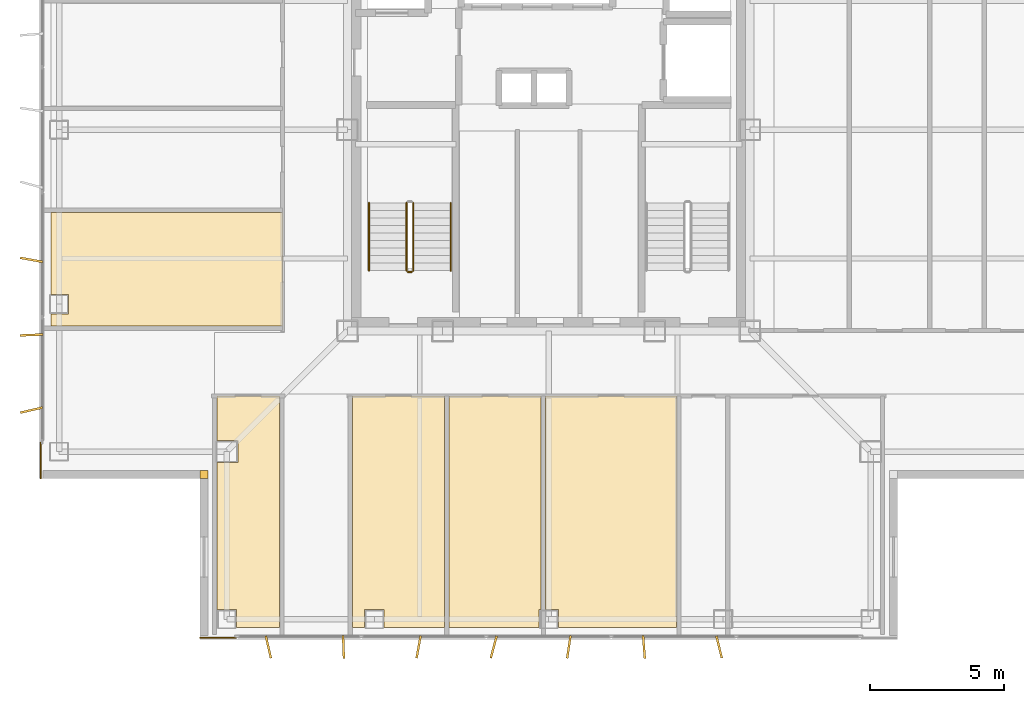
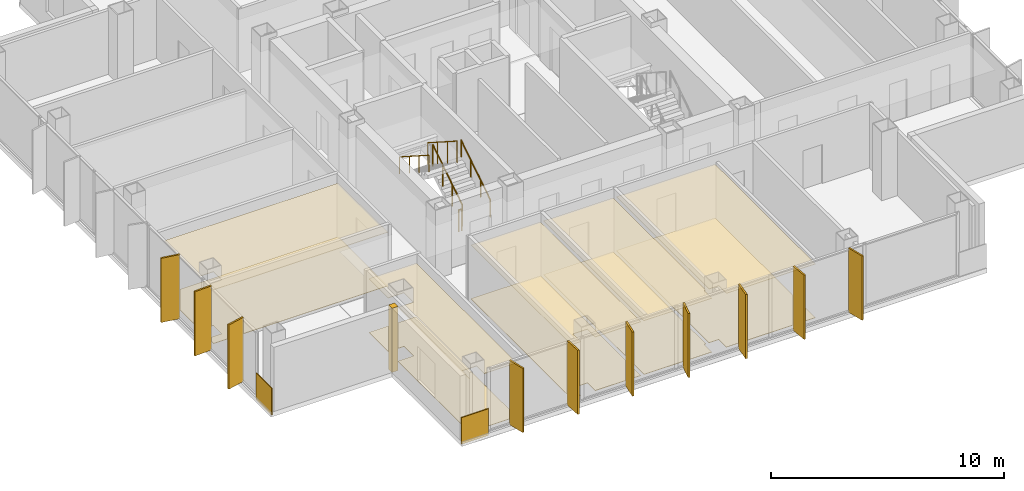
# One storey, part 10 of 15: 13 coverings, 10 shading devices, 5 railings.
"""IFC4 building model written with IfcOpenShell, lengths in metres."""

from ifc_helpers import new_model, si_unit, direction, frame, frame_2d, origin, origin_2d, place, context, subcontext, project, spatial, polyline, rectangle, circle, outline, extrude, material, layer, layer_set, type_object, element, save


model = new_model("IFC4")

# Units and contexts
model_context = context("Model", 3, precision=1e-05, world=origin(), true_north=direction((0.0, 1.0)))
body_context = subcontext(model_context, "Body", "Model", "MODEL_VIEW")
ifc_project = project(units=[si_unit("LENGTHUNIT", "METRE"), si_unit("AREAUNIT", "SQUARE_METRE"), si_unit("VOLUMEUNIT", "CUBIC_METRE"), si_unit("PLANEANGLEUNIT", "RADIAN"), si_unit("MASSUNIT", "GRAM", prefix="KILO")], contexts=[model_context])

# Site, building, storey
site_placement = place(None, origin())
site = spatial("IfcSite", under=ifc_project, at=site_placement, CompositionType="ELEMENT")
building_placement = place(site_placement, origin())
building = spatial("IfcBuilding", under=site, at=building_placement, Name="Trevonay Congress Spire", CompositionType="ELEMENT")
storey_placement = place(building_placement, frame((0.0, 0.0, 293.60009765625)))
storey = spatial("IfcBuildingStorey", under=building, at=storey_placement, Name="L77", CompositionType="ELEMENT", Elevation=293.60009765625)

# Coverings
ifc_material_1 = material(Name="Acoustic Mineral Fibre Board", Category="gypsum")
ifc_layer_1 = layer(ifc_material_1, 0.02490234375, Name="Acoustic Mineral Fibre Board")
ifc_layer_set_1 = layer_set([ifc_layer_1], Name="Acoustic Mineral Fibre Board")
covering_type_1 = type_object("IfcCoveringType", Name="COV-CEIL-ACOUSTIC", PredefinedType="CEILING", material=ifc_layer_set_1)
covering_1_placement = place(storey_placement, frame((0.0, 0.0, 2.809814453125)))
element("IfcCovering", 1, at=covering_1_placement, inside=storey, type_object=covering_type_1, Name="L77 Sommelier Reserve Tasting Kitchen acoustic suspended ceiling", PredefinedType="CEILING", context=body_context, shape_type="SweptSolid", body=[
    extrude(outline(polyline([(-12.3701171875, -18.550048828125), (-12.3701171875, -12.409912109375), (-11.590087890625, -12.409912109375), (-11.590087890625, -11.590087890625), (-12.3701171875, -11.590087890625), (-12.3701171875, -9.929931640625), (-10.030029296875, -9.929931640625), (-10.030029296875, -18.550048828125), (-11.639892578125, -18.550048828125), (-11.639892578125, -17.889892578125), (-12.360107421875, -17.889892578125), (-12.360107421875, -18.550048828125), (-12.3701171875, -18.550048828125)])), origin(), (0.0, 0.0, 1.0), 0.025146484375),
])
covering_2_placement = place(storey_placement, frame((0.0, 0.0, 2.809814453125)))
element("IfcCovering", 2, at=covering_2_placement, inside=storey, type_object=covering_type_1, Name="L77 Sky Brasserie Show Kitchen acoustic suspended ceiling", PredefinedType="CEILING", context=body_context, shape_type="SweptSolid", body=[
    extrude(outline(polyline([(-7.320068359375, -18.550048828125), (-7.320068359375, -9.929931640625), (-3.8798828125, -9.929931640625), (-3.8798828125, -18.550048828125), (-6.139892578125, -18.550048828125), (-6.139892578125, -17.889892578125), (-6.860107421875, -17.889892578125), (-6.860107421875, -18.550048828125), (-7.320068359375, -18.550048828125)])), origin(), (0.0, 0.0, 1.0), 0.025146484375),
])
covering_3_placement = place(storey_placement, frame((0.0, 0.0, 2.809814453125)))
element("IfcCovering", 3, at=covering_3_placement, inside=storey, type_object=covering_type_1, Name="L77 Pastry Studio Kitchen acoustic suspended ceiling", PredefinedType="CEILING", context=body_context, shape_type="SweptSolid", body=[
    extrude(outline(polyline([(-3.719970703125, -18.550048828125), (-3.719970703125, -9.929931640625), (-0.280029296875, -9.929931640625), (-0.280029296875, -17.889892578125), (-0.360107421875, -17.889892578125), (-0.360107421875, -18.550048828125), (-3.719970703125, -18.550048828125)])), origin(), (0.0, 0.0, 1.0), 0.025146484375),
])
covering_4_placement = place(storey_placement, frame((0.0, 0.0, 2.809814453125)))
element("IfcCovering", 4, at=covering_4_placement, inside=storey, type_object=covering_type_1, Name="L77 Espresso Roastery Bar acoustic suspended ceiling", PredefinedType="CEILING", context=body_context, shape_type="SweptSolid", body=[
    extrude(outline(polyline([(-0.1201171875, -9.929931640625), (4.77001953125, -9.929931640625), (4.77001953125, -18.550048828125), (0.360107421875, -18.550048828125), (0.360107421875, -17.889892578125), (-0.1201171875, -17.889892578125), (-0.1201171875, -9.929931640625)])), origin(), (0.0, 0.0, 1.0), 0.025146484375),
])
covering_5_placement = place(storey_placement, frame((0.0, 0.0, 2.809814453125)))
element("IfcCovering", 5, at=covering_5_placement, inside=storey, type_object=covering_type_1, Name="L77 Private Chef Table Dining acoustic suspended ceiling", PredefinedType="CEILING", context=body_context, shape_type="SweptSolid", body=[
    extrude(outline(polyline([(-18.550048828125, -3.080078125), (-9.929931640625, -3.080078125), (-9.929931640625, -7.320068359375), (-18.550048828125, -7.320068359375), (-18.550048828125, -6.860107421875), (-17.889892578125, -6.860107421875), (-17.889892578125, -6.139892578125), (-18.550048828125, -6.139892578125), (-18.550048828125, -3.080078125)])), origin(), (0.0, 0.0, 1.0), 0.025146484375),
])
ifc_material_2 = material(Name="Polished Granite Floor Tile", Category="masonry")
ifc_layer_2 = layer(ifc_material_2, 0.02001953125, Name="Polished Granite Floor Tile")
ifc_layer_set_2 = layer_set([ifc_layer_2], Name="Polished Granite Floor Tile")
covering_type_2 = type_object("IfcCoveringType", Name="COV-FLOOR-STONE", PredefinedType="FLOORING", material=ifc_layer_set_2)
covering_6_placement = place(storey_placement, origin())
element("IfcCovering", 6, at=covering_6_placement, inside=storey, type_object=covering_type_2, Name="L77 Sommelier Reserve Tasting Kitchen floor finish", PredefinedType="FLOORING", context=body_context, shape_type="SweptSolid", body=[
    extrude(outline(polyline([(-12.3701171875, -18.550048828125), (-12.3701171875, -12.409912109375), (-11.590087890625, -12.409912109375), (-11.590087890625, -11.590087890625), (-12.3701171875, -11.590087890625), (-12.3701171875, -9.929931640625), (-10.030029296875, -9.929931640625), (-10.030029296875, -18.550048828125), (-11.639892578125, -18.550048828125), (-11.639892578125, -17.889892578125), (-12.360107421875, -17.889892578125), (-12.360107421875, -18.550048828125), (-12.3701171875, -18.550048828125)])), origin(), (0.0, 0.0, 1.0), 0.02001953125),
])
covering_7_placement = place(storey_placement, origin())
element("IfcCovering", 7, at=covering_7_placement, inside=storey, type_object=covering_type_2, Name="L77 Sky Brasserie Show Kitchen floor finish", PredefinedType="FLOORING", context=body_context, shape_type="SweptSolid", body=[
    extrude(outline(polyline([(-7.320068359375, -18.550048828125), (-7.320068359375, -9.929931640625), (-3.8798828125, -9.929931640625), (-3.8798828125, -18.550048828125), (-6.139892578125, -18.550048828125), (-6.139892578125, -17.889892578125), (-6.860107421875, -17.889892578125), (-6.860107421875, -18.550048828125), (-7.320068359375, -18.550048828125)])), origin(), (0.0, 0.0, 1.0), 0.02001953125),
])
covering_8_placement = place(storey_placement, origin())
element("IfcCovering", 8, at=covering_8_placement, inside=storey, type_object=covering_type_2, Name="L77 Pastry Studio Kitchen floor finish", PredefinedType="FLOORING", context=body_context, shape_type="SweptSolid", body=[
    extrude(outline(polyline([(-3.719970703125, -18.550048828125), (-3.719970703125, -9.929931640625), (-0.280029296875, -9.929931640625), (-0.280029296875, -17.889892578125), (-0.360107421875, -17.889892578125), (-0.360107421875, -18.550048828125), (-3.719970703125, -18.550048828125)])), origin(), (0.0, 0.0, 1.0), 0.02001953125),
])
covering_9_placement = place(storey_placement, origin())
element("IfcCovering", 9, at=covering_9_placement, inside=storey, type_object=covering_type_2, Name="L77 Espresso Roastery Bar floor finish", PredefinedType="FLOORING", context=body_context, shape_type="SweptSolid", body=[
    extrude(outline(polyline([(-0.1201171875, -9.929931640625), (4.77001953125, -9.929931640625), (4.77001953125, -18.550048828125), (0.360107421875, -18.550048828125), (0.360107421875, -17.889892578125), (-0.1201171875, -17.889892578125), (-0.1201171875, -9.929931640625)])), origin(), (0.0, 0.0, 1.0), 0.02001953125),
])
covering_10_placement = place(storey_placement, origin())
element("IfcCovering", 10, at=covering_10_placement, inside=storey, type_object=covering_type_2, Name="L77 Private Chef Table Dining floor finish", PredefinedType="FLOORING", context=body_context, shape_type="SweptSolid", body=[
    extrude(outline(polyline([(-18.550048828125, -3.080078125), (-9.929931640625, -3.080078125), (-9.929931640625, -7.320068359375), (-18.550048828125, -7.320068359375), (-18.550048828125, -6.860107421875), (-17.889892578125, -6.860107421875), (-17.889892578125, -6.139892578125), (-18.550048828125, -6.139892578125), (-18.550048828125, -3.080078125)])), origin(), (0.0, 0.0, 1.0), 0.02001953125),
])
ifc_material_3 = material(Name="Pale Anodised Aluminium EN AW-6063-T6", Category="aluminium")
ifc_layer_3 = layer(ifc_material_3, 0.0400390625, Name="Pale Anodised Aluminium EN AW-6063-T6")
ifc_layer_set_3 = layer_set([ifc_layer_3], Name="Pale Anodised Aluminium EN AW-6063-T6")
covering_type_3 = type_object("IfcCoveringType", Name="COV-SPANDREL-PALE-METAL", PredefinedType="CLADDING", material=ifc_layer_set_3)
covering_11_placement = place(storey_placement, origin())
element("IfcCovering", 11, at=covering_11_placement, inside=storey, type_object=covering_type_3, Name="L77 SW re-entrant notch corner closure trim", PredefinedType="CLADDING", context=body_context, shape_type="SweptSolid", body=[
    extrude(outline(polyline([(-13.0, -13.0), (-12.699951171875, -13.0), (-12.699951171875, -12.699951171875), (-13.0, -12.699951171875), (-13.0, -13.0)])), origin(), (0.0, 0.0, 1.0), 3.35986328125),
])
for number, where, z_axis, x_axis, name in (
    (12, (-18.93994140625, -11.64990234375, -0.150146484375), (0.0, 0.0, 1.0), (0.0, -1.0, 0.0), "L77 SW corner pier spandrel cladding 1"),
    (13, (-11.64990234375, -18.93994140625, -0.150146484375), (0.0, 0.0, 1.0), (-1.0, 0.0, 0.0), "L77 SW corner pier spandrel cladding 2"),
):
    element("IfcCovering", number, at=place(storey_placement, frame(where, z_axis=z_axis, x_axis=x_axis)), inside=storey, type_object=covering_type_3, Name=name, PredefinedType="CLADDING", context=body_context, shape_type="SweptSolid", body=[
        extrude(rectangle(XDim=1.35009765625, YDim=0.0400390625, at=frame_2d((0.675048828125, 0.0))), origin(), (0.0, 0.0, 1.0), 1.400146484375),
    ])

# Railings
railing_type_1 = type_object("IfcRailingType", Name="RAL-STAIR-GUARD-110", PredefinedType="GUARDRAIL", material=ifc_material_3)
railing_1_placement = place(storey_placement, frame((-5.050048828125, -5.25, 0.179931640625)))
element("IfcRailing", 14, at=railing_1_placement, inside=storey, type_object=railing_type_1, Name="L77 ST-1 stair guard 1", PredefinedType="GUARDRAIL", context=body_context, shape_type="SweptSolid", body=[
    extrude(circle(Radius=0.02392578125, at=origin_2d()), frame((0.0, 0.0, 1.1259765625), z_axis=(0.0, 0.841199657755, 0.540724639528), x_axis=(-1.0, 0.0, 0.0)), (0.0, 0.0, 1.0), 2.995849609375),
    extrude(circle(Radius=0.02099609375, at=origin_2d()), origin(), (0.0, 0.0, 1.0), 1.101806640625),
    extrude(circle(Radius=0.02099609375, at=origin_2d()), frame((0.0, 0.840087890625, 0.5400390625)), (0.0, 0.0, 1.0), 1.101806640625),
    extrude(circle(Radius=0.02099609375, at=origin_2d()), frame((0.0, 1.679931640625, 1.079833984375)), (0.0, 0.0, 1.0), 1.101806640625),
    extrude(circle(Radius=0.02099609375, at=origin_2d()), frame((0.0, 2.52001953125, 1.619873046875)), (0.0, 0.0, 1.0), 1.101806640625),
])
railing_2_placement = place(storey_placement, frame((-5.300048828125, -2.72998046875, 1.97998046875)))
element("IfcRailing", 15, at=railing_2_placement, inside=storey, type_object=railing_type_1, Name="L77 ST-1 stair guard 3", PredefinedType="GUARDRAIL", context=body_context, shape_type="SweptSolid", body=[
    extrude(circle(Radius=0.02392578125, at=origin_2d()), frame((0.0, 0.0, 1.1259765625), z_axis=(0.0, -0.841199657755, 0.540724639528), x_axis=(1.0, 0.0, 0.0)), (0.0, 0.0, 1.0), 2.995849609375),
    extrude(circle(Radius=0.02099609375, at=origin_2d()), origin(), (0.0, 0.0, 1.0), 1.101806640625),
    extrude(circle(Radius=0.02099609375, at=origin_2d()), frame((0.0, -0.840087890625, 0.5400390625)), (0.0, 0.0, 1.0), 1.101806640625),
    extrude(circle(Radius=0.02099609375, at=origin_2d()), frame((0.0, -1.679931640625, 1.079833984375)), (0.0, 0.0, 1.0), 1.101806640625),
    extrude(circle(Radius=0.02099609375, at=origin_2d()), frame((0.0, -2.52001953125, 1.619873046875)), (0.0, 0.0, 1.0), 1.101806640625),
])
railing_3_placement = place(storey_placement, frame((-5.10009765625, -5.300048828125, 0.0)))
element("IfcRailing", 16, at=railing_3_placement, inside=storey, type_object=railing_type_1, Name="L77 ST-1 stair guard 4", PredefinedType="GUARDRAIL", context=body_context, shape_type="SweptSolid", body=[
    extrude(circle(Radius=0.02392578125, at=origin_2d()), frame((0.0, 0.0, 1.1259765625), z_axis=(-1.0, 0.0, 0.0), x_axis=(0.0, -1.0, 0.0)), (0.0, 0.0, 1.0), 0.14990234375),
    extrude(circle(Radius=0.02099609375, at=origin_2d()), origin(), (0.0, 0.0, 1.0), 1.101806640625),
    extrude(circle(Radius=0.02099609375, at=origin_2d()), frame((-0.14990234375, 0.0, 0.0)), (0.0, 0.0, 1.0), 1.101806640625),
])
railing_type_2 = type_object("IfcRailingType", Name="RAL-STAIR-HANDRAIL", PredefinedType="HANDRAIL", material=ifc_material_3)
railing_4_placement = place(storey_placement, frame((-3.64990234375, -5.25, 0.179931640625)))
element("IfcRailing", 17, at=railing_4_placement, inside=storey, type_object=railing_type_2, Name="L77 ST-1 stair handrail 1", PredefinedType="HANDRAIL", context=body_context, shape_type="SweptSolid", body=[
    extrude(circle(Radius=0.02392578125, at=origin_2d()), frame((0.0, 0.0, 0.8759765625), z_axis=(0.0, 0.841199657755, 0.540724639528), x_axis=(-1.0, 0.0, 0.0)), (0.0, 0.0, 1.0), 2.995849609375),
    extrude(circle(Radius=0.02099609375, at=origin_2d()), origin(), (0.0, 0.0, 1.0), 0.851806640625),
    extrude(circle(Radius=0.02099609375, at=origin_2d()), frame((0.0, 0.840087890625, 0.5400390625)), (0.0, 0.0, 1.0), 0.851806640625),
    extrude(circle(Radius=0.02099609375, at=origin_2d()), frame((0.0, 1.679931640625, 1.079833984375)), (0.0, 0.0, 1.0), 0.851806640625),
    extrude(circle(Radius=0.02099609375, at=origin_2d()), frame((0.0, 2.52001953125, 1.619873046875)), (0.0, 0.0, 1.0), 0.851806640625),
])
railing_5_placement = place(storey_placement, frame((-6.699951171875, -2.72998046875, 1.97998046875)))
element("IfcRailing", 18, at=railing_5_placement, inside=storey, type_object=railing_type_2, Name="L77 ST-1 stair handrail 2", PredefinedType="HANDRAIL", context=body_context, shape_type="SweptSolid", body=[
    extrude(circle(Radius=0.02392578125, at=origin_2d()), frame((0.0, 0.0, 0.8759765625), z_axis=(0.0, -0.841199657755, 0.540724639528), x_axis=(1.0, 0.0, 0.0)), (0.0, 0.0, 1.0), 2.995849609375),
    extrude(circle(Radius=0.02099609375, at=origin_2d()), origin(), (0.0, 0.0, 1.0), 0.851806640625),
    extrude(circle(Radius=0.02099609375, at=origin_2d()), frame((0.0, -0.840087890625, 0.5400390625)), (0.0, 0.0, 1.0), 0.851806640625),
    extrude(circle(Radius=0.02099609375, at=origin_2d()), frame((0.0, -1.679931640625, 1.079833984375)), (0.0, 0.0, 1.0), 0.851806640625),
    extrude(circle(Radius=0.02099609375, at=origin_2d()), frame((0.0, -2.52001953125, 1.619873046875)), (0.0, 0.0, 1.0), 0.851806640625),
])

# Shading devices
shading_device_type = type_object("IfcShadingDeviceType", Name="SHD-FIN-Z4-PALE-METAL", PredefinedType="USERDEFINED", material=ifc_material_3)
for number, where, z_axis, x_axis, name in (
    (19, (-10.449951171875, -19.280029296875, 0.0), (0.0, 0.0, 1.0), (0.97440931131, 0.224780991261, 0.0), "L77 S vertical pale-metal solar fin 1"),
    (20, (-7.64990234375, -19.280029296875, 0.0), (0.0, 0.0, 1.0), (0.999235873152, 0.039085416795, 0.0), "L77 S vertical pale-metal solar fin 2"),
    (21, (-4.85009765625, -19.280029296875, 0.0), (0.0, 0.0, 1.0), (0.984195607969, -0.17708474032, 0.0), "L77 S vertical pale-metal solar fin 3"),
    (22, (-2.050048828125, -19.280029296875, 0.0), (0.0, 0.0, 1.0), (0.966106280664, -0.258144638645, 0.0), "L77 S vertical pale-metal solar fin 4"),
    (23, (0.75, -19.280029296875, 0.0), (0.0, 0.0, 1.0), (0.989144474801, -0.146946275799, 0.0), "L77 S vertical pale-metal solar fin 5"),
    (24, (3.550048828125, -19.280029296875, 0.0), (0.0, 0.0, 1.0), (0.997025911491, 0.077067060513, 0.0), "L77 S vertical pale-metal solar fin 6"),
    (25, (6.35009765625, -19.280029296875, 0.0), (0.0, 0.0, 1.0), (0.970464383152, 0.241244442494, 0.0), "L77 S vertical pale-metal solar fin 7"),
    (26, (-19.280029296875, -10.449951171875, 0.0), (0.0, 0.0, 1.0), (-0.224780991261, 0.97440931131, 0.0), "L77 W vertical pale-metal solar fin 1"),
    (27, (-19.280029296875, -7.64990234375, 0.0), (0.0, 0.0, 1.0), (-0.039085416795, 0.999235873152, 0.0), "L77 W vertical pale-metal solar fin 2"),
    (28, (-19.280029296875, -4.85009765625, 0.0), (0.0, 0.0, 1.0), (0.17708474032, 0.984195607969, 0.0), "L77 W vertical pale-metal solar fin 3"),
):
    element("IfcShadingDevice", number, at=place(storey_placement, frame(where, z_axis=z_axis, x_axis=x_axis)), inside=storey, type_object=shading_device_type, Name=name, ObjectType="SOLAR FIN", PredefinedType="USERDEFINED", context=body_context, shape_type="SweptSolid", body=[
        extrude(rectangle(XDim=0.080078125, YDim=0.85009765625, at=origin_2d()), origin(), (0.0, 0.0, 1.0), 3.360107421875),
    ])

save(model, "model.ifc")
